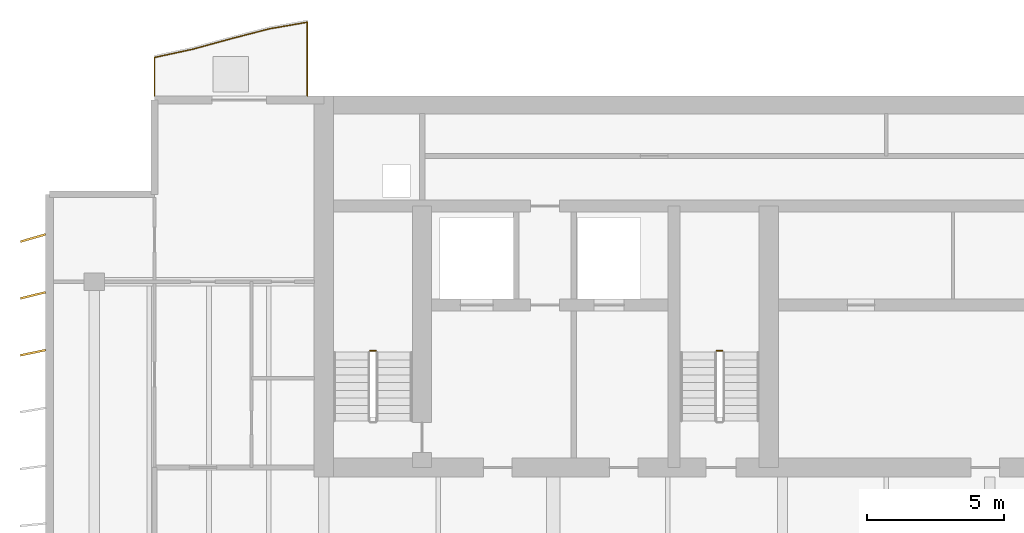
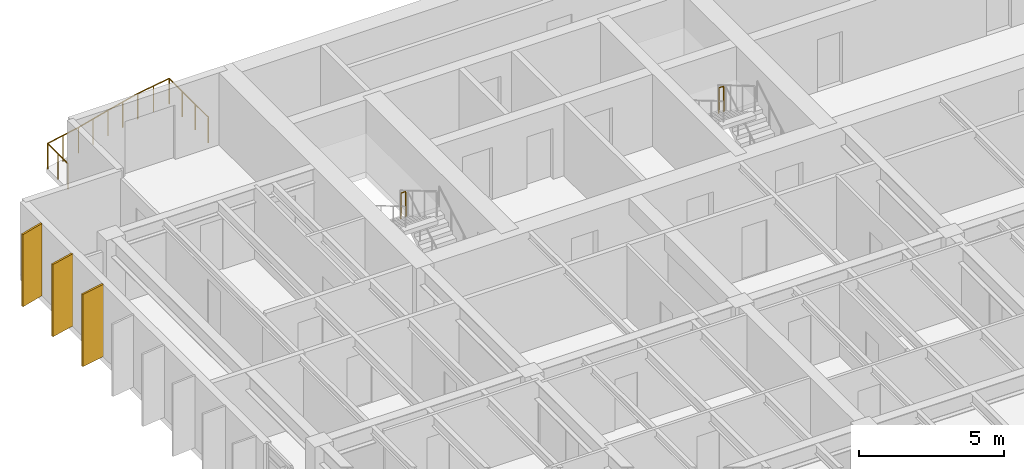
# One storey, part 16 of 17: 3 railings, 3 shading devices.
"""IFC4 building model written with IfcOpenShell, lengths in metres."""

from ifc_helpers import new_model, si_unit, direction, frame, origin, origin_2d, place, context, subcontext, project, spatial, rectangle, circle, extrude, material, material_profile, profile_set, type_object, element, save


model = new_model("IFC4")

# Units and contexts
model_context = context("Model", 3, precision=1e-05, world=origin(), true_north=direction((0.0, 1.0)))
body_context = subcontext(model_context, "Body", "Model", "MODEL_VIEW")
ifc_project = project(units=[si_unit("LENGTHUNIT", "METRE"), si_unit("AREAUNIT", "SQUARE_METRE"), si_unit("VOLUMEUNIT", "CUBIC_METRE"), si_unit("PLANEANGLEUNIT", "RADIAN"), si_unit("MASSUNIT", "GRAM", prefix="KILO")], contexts=[model_context])

# Site, building, storey
site_placement = place(None, origin())
site = spatial("IfcSite", under=ifc_project, at=site_placement, CompositionType="ELEMENT")
building_placement = place(site_placement, origin())
building = spatial("IfcBuilding", under=site, at=building_placement, Name="Caelmar Bay Residences", CompositionType="ELEMENT")
storey_placement = place(building_placement, frame((0.0, 0.0, 259.5)))
storey = spatial("IfcBuildingStorey", under=building, at=storey_placement, Name="L73", CompositionType="ELEMENT", Elevation=259.5)

# Railings
ifc_material_1 = material(Name="Anodised bronze handrail with laminated hurricane glass infill", Category="glass")
railing_type_1 = type_object("IfcRailingType", Name="RL-BAL-1100", PredefinedType="BALUSTRADE", material=ifc_material_1)
railing_placement = place(storey_placement, frame((17.699951171875, 50.60009765625, 0.0)))
element("IfcRailing", 1, at=railing_placement, inside=storey, type_object=railing_type_1, Name="L73 north_west Balcony Balustrade", PredefinedType="BALUSTRADE", context=body_context, shape_type="SweptSolid", body=[
    extrude(circle(Radius=0.02392578125, at=origin_2d()), frame((0.0, 0.0, 1.076171875), z_axis=(0.0, 1.0, 0.0), x_axis=(-1.0, 0.0, 0.0)), (0.0, 0.0, 1.0), 2.705078125),
    extrude(circle(Radius=0.02392578125, at=origin_2d()), frame((0.0, 2.705078125, 1.076171875), z_axis=(-0.985101853006, -0.171971913997, 0.0), x_axis=(0.171971913997, -0.985101853006, 0.0)), (0.0, 0.0, 1.0), 1.421142578125),
    extrude(circle(Radius=0.02392578125, at=origin_2d()), frame((-1.39990234375, 2.460693359375, 1.076171875), z_axis=(-0.968113743572, -0.250511036698, 0.0), x_axis=(0.250511036698, -0.968113743572, 0.0)), (0.0, 0.0, 1.0), 1.4462890625),
    extrude(circle(Radius=0.02392578125, at=origin_2d()), frame((-2.800048828125, 2.098388671875, 1.076171875), z_axis=(-0.964456525256, -0.264241576766, 0.0), x_axis=(0.264241576766, -0.964456525256, 0.0)), (0.0, 0.0, 1.0), 1.451416015625),
    extrude(circle(Radius=0.02392578125, at=origin_2d()), frame((-4.199951171875, 1.71484375, 1.076171875), z_axis=(-0.97754721646, -0.210716491026, 0.0), x_axis=(0.210716491026, -0.97754721646, 0.0)), (0.0, 0.0, 1.0), 1.43212890625),
    extrude(circle(Radius=0.02392578125, at=origin_2d()), frame((-5.599853515625, 1.4130859375, 1.076171875), z_axis=(0.0, -1.0, 0.0), x_axis=(1.0, 0.0, 0.0)), (0.0, 0.0, 1.0), 1.4130859375),
    extrude(circle(Radius=0.02099609375, at=origin_2d()), origin(), (0.0, 0.0, 1.0), 1.052001953125),
    extrude(circle(Radius=0.02099609375, at=origin_2d()), frame((0.0, 0.901611328125, 0.0)), (0.0, 0.0, 1.0), 1.052001953125),
    extrude(circle(Radius=0.02099609375, at=origin_2d()), frame((0.0, 1.803466796875, 0.0)), (0.0, 0.0, 1.0), 1.052001953125),
    extrude(circle(Radius=0.02099609375, at=origin_2d()), frame((0.0, 2.705078125, 0.0)), (0.0, 0.0, 1.0), 1.052001953125),
    extrude(circle(Radius=0.02099609375, at=origin_2d()), frame((-0.699951171875, 2.5830078125, 0.0)), (0.0, 0.0, 1.0), 1.052001953125),
    extrude(circle(Radius=0.02099609375, at=origin_2d()), frame((-1.39990234375, 2.460693359375, 0.0)), (0.0, 0.0, 1.0), 1.052001953125),
    extrude(circle(Radius=0.02099609375, at=origin_2d()), frame((-2.10009765625, 2.279541015625, 0.0)), (0.0, 0.0, 1.0), 1.052001953125),
    extrude(circle(Radius=0.02099609375, at=origin_2d()), frame((-2.800048828125, 2.098388671875, 0.0)), (0.0, 0.0, 1.0), 1.052001953125),
    extrude(circle(Radius=0.02099609375, at=origin_2d()), frame((-3.5, 1.90673828125, 0.0)), (0.0, 0.0, 1.0), 1.052001953125),
    extrude(circle(Radius=0.02099609375, at=origin_2d()), frame((-4.199951171875, 1.71484375, 0.0)), (0.0, 0.0, 1.0), 1.052001953125),
    extrude(circle(Radius=0.02099609375, at=origin_2d()), frame((-4.89990234375, 1.56396484375, 0.0)), (0.0, 0.0, 1.0), 1.052001953125),
    extrude(circle(Radius=0.02099609375, at=origin_2d()), frame((-5.599853515625, 1.4130859375, 0.0)), (0.0, 0.0, 1.0), 1.052001953125),
    extrude(circle(Radius=0.02099609375, at=origin_2d()), frame((-5.599853515625, 0.70654296875, 0.0)), (0.0, 0.0, 1.0), 1.052001953125),
    extrude(circle(Radius=0.02099609375, at=origin_2d()), frame((-5.599853515625, 0.0, 0.0)), (0.0, 0.0, 1.0), 1.052001953125),
])
ifc_material_2 = material(Name="Painted galvanized steel stair guard 1100 mm", Category="steel")
railing_type_2 = type_object("IfcRailingType", Name="RL-GRD-1100", PredefinedType="GUARDRAIL", material=ifc_material_2)
for number, where, name in (
    (2, (20.199951171875, 41.27001953125, 1.64990234375), "L73 ST1 stair guard 2"),
    (3, (32.89990234375, 41.27001953125, 1.64990234375), "L73 ST3 stair guard 2"),
):
    element("IfcRailing", number, at=place(storey_placement, frame(where)), inside=storey, type_object=railing_type_2, Name=name, PredefinedType="GUARDRAIL", context=body_context, shape_type="SweptSolid", body=[
        extrude(circle(Radius=0.02392578125, at=origin_2d()), frame((0.0, 0.0, 1.076171875), z_axis=(-1.0, 0.0, 0.0), x_axis=(0.0, -1.0, 0.0)), (0.0, 0.0, 1.0), 0.199951171875),
        extrude(circle(Radius=0.02099609375, at=origin_2d()), origin(), (0.0, 0.0, 1.0), 1.052001953125),
        extrude(circle(Radius=0.02099609375, at=origin_2d()), frame((-0.199951171875, 0.0, 0.0)), (0.0, 0.0, 1.0), 1.052001953125),
    ])

# Shading devices
ifc_material_3 = material(Name="Anodised architectural bronze aluminium 6063-T6", Category="aluminium")
ifc_material_profile = material_profile(ifc_material_3, rectangle(XDim=0.074951171875, YDim=0.949951171875, at=origin_2d()), Name="BRONZE-FIN-75X950")
ifc_profile_set = profile_set([ifc_material_profile], Name="Anodised architectural bronze aluminium 6063-T6")
shading_device_type = type_object("IfcShadingDeviceType", Name="SHD-FIN-950", PredefinedType="USERDEFINED", material=ifc_profile_set)
for number, where, z_axis, x_axis, name in (
    (4, (7.64990234375, 41.199951171875, 0.0), (0.0, 0.0, 1.0), (-0.2032999874, 0.979116497217, 0.0), "L73 West Bronze Solar Fin 14"),
    (5, (7.64990234375, 43.300048828125, 0.0), (0.0, 0.0, 1.0), (-0.239719743609, 0.970842131618, 0.0), "L73 West Bronze Solar Fin 15"),
    (6, (7.64990234375, 45.39990234375, 0.0), (0.0, 0.0, 1.0), (-0.275637355817, 0.961261695938, 0.0), "L73 West Bronze Solar Fin 16"),
):
    element("IfcShadingDevice", number, at=place(storey_placement, frame(where, z_axis=z_axis, x_axis=x_axis)), inside=storey, type_object=shading_device_type, Name=name, ObjectType="FIN", PredefinedType="USERDEFINED", context=body_context, shape_type="SweptSolid", body=[
        extrude(rectangle(XDim=0.074951171875, YDim=0.949951171875, at=origin_2d()), origin(), (0.0, 0.0, 1.0), 3.050048828125),
    ])

save(model, "model.ifc")
